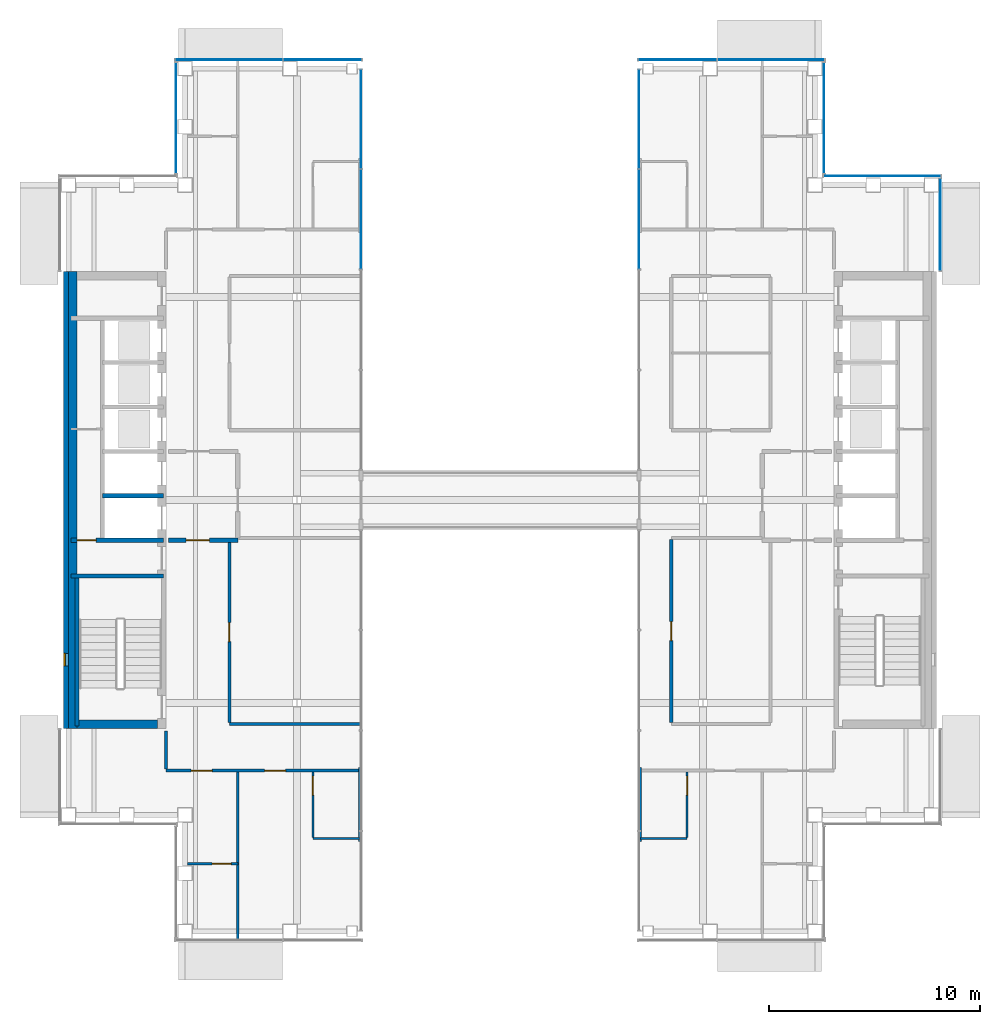
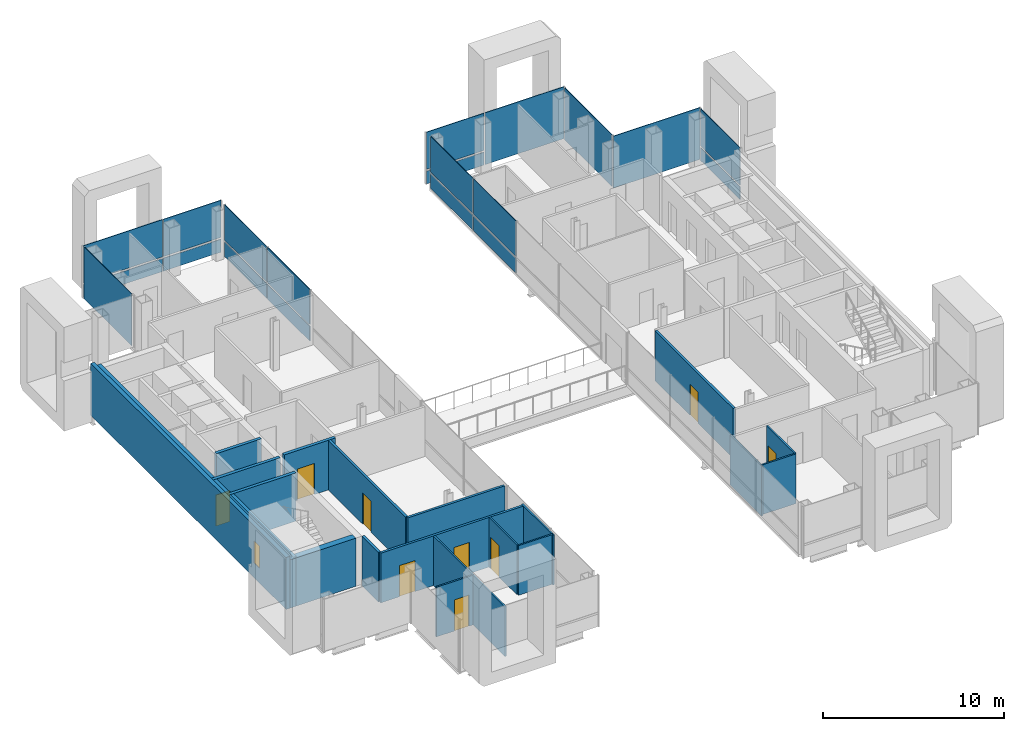
# One storey, part 10 of 17: 21 walls, 20 plates, 9 doors, 1 window, 10 openings, 8 elements without a shape of their own.
"""IFC4 building model written with IfcOpenShell, lengths in metres."""

from ifc_helpers import new_model, si_unit, direction, frame, frame_2d, origin, origin_2d, place, context, subcontext, project, spatial, rectangle, extrude, material, layer, layer_set, type_object, element, fill, aggregate, save


model = new_model("IFC4")

# Units and contexts
model_context = context("Model", 3, precision=1e-05, world=origin(), true_north=direction((0.0, 1.0)))
body_context = subcontext(model_context, "Body", "Model", "MODEL_VIEW")
ifc_project = project(units=[si_unit("LENGTHUNIT", "METRE"), si_unit("AREAUNIT", "SQUARE_METRE"), si_unit("VOLUMEUNIT", "CUBIC_METRE"), si_unit("PLANEANGLEUNIT", "RADIAN"), si_unit("MASSUNIT", "GRAM", prefix="KILO")], contexts=[model_context])

# Site, building, storey
site_placement = place(None, origin())
site = spatial("IfcSite", under=ifc_project, at=site_placement, CompositionType="ELEMENT")
building_placement = place(site_placement, origin())
building = spatial("IfcBuilding", under=site, at=building_placement, Name="Cobrizo Arcos Hotel Tower", CompositionType="ELEMENT")
storey_placement = place(building_placement, frame((0.0, 0.0, 226.0)))
storey = spatial("IfcBuildingStorey", under=building, at=storey_placement, Name="L59", CompositionType="ELEMENT", Elevation=226.0)

# Curtain wall, plate
ifc_material_1 = material(Name="Aluminium 6063-T6 anodised bronze", Category="aluminium")
curtain_wall_type_1 = type_object("IfcCurtainWallType", Name="CW-A guest facade", PredefinedType="NOTDEFINED", material=ifc_material_1)
curtain_wall_1_placement = place(storey_placement, origin())
curtain_wall_1 = element("IfcCurtainWall", 1, at=curtain_wall_1_placement, inside=storey, type_object=curtain_wall_type_1, Name="CW-A L59 E face", PredefinedType="NOTDEFINED")
ifc_material_2 = material(Name="Glass clear laminated low-e", Category="glass")
ifc_layer_1 = layer(ifc_material_2, 0.0400390625)
ifc_layer_set_1 = layer_set([ifc_layer_1], Name="CW-A glass panel")
plate_type_1 = type_object("IfcPlateType", Name="CW-A glass panel", PredefinedType="CURTAIN_PANEL", material=ifc_layer_set_1)
plate_1_placement = place(storey_placement, frame((20.824951171875, 13.02490234375, 0.990234375), z_axis=(0.0, 0.0, 1.0), x_axis=(0.0, 1.0, 0.0)))
plate_1 = element("IfcPlate", 2, at=plate_1_placement, type_object=plate_type_1, Name="CW-A glass panel 1935", PredefinedType="CURTAIN_PANEL", context=body_context, shape_type="SweptSolid", body=[
    extrude(rectangle(XDim=4.330078125, YDim=0.0400390625, at=origin_2d()), origin(), (0.0, 0.0, 1.0), 2.510009765625),
])

curtain_wall_2_placement = place(storey_placement, origin())
curtain_wall_2 = element("IfcCurtainWall", 3, at=curtain_wall_2_placement, inside=storey, type_object=curtain_wall_type_1, Name="CW-A L59 N face", PredefinedType="NOTDEFINED")
plate_2_placement = place(storey_placement, frame((8.3984375, 20.824951171875, 0.990234375), z_axis=(0.0, 0.0, 1.0), x_axis=(-1.0, 0.0, 0.0)))
plate_2 = element("IfcPlate", 4, at=plate_2_placement, type_object=plate_type_1, Name="CW-A glass panel 1939", PredefinedType="CURTAIN_PANEL", context=body_context, shape_type="SweptSolid", body=[
    extrude(rectangle(XDim=3.6767578125, YDim=0.0400390625, at=origin_2d()), origin(), (0.0, 0.0, 1.0), 2.510009765625),
])

# Curtain wall, plates
curtain_wall_3_placement = place(storey_placement, origin())
curtain_wall_3 = element("IfcCurtainWall", 5, at=curtain_wall_3_placement, inside=storey, type_object=curtain_wall_type_1, Name="CW-A L59 N face", PredefinedType="NOTDEFINED")
plate_3_placement = place(storey_placement, frame((-8.3984375, 20.824951171875, 0.990234375), z_axis=(0.0, 0.0, 1.0), x_axis=(-1.0, 0.0, 0.0)))
plate_3 = element("IfcPlate", 6, at=plate_3_placement, type_object=plate_type_1, Name="CW-A glass panel 1940", PredefinedType="CURTAIN_PANEL", context=body_context, shape_type="SweptSolid", body=[
    extrude(rectangle(XDim=3.6767578125, YDim=0.0400390625, at=origin_2d()), origin(), (0.0, 0.0, 1.0), 2.510009765625),
])
plate_4_placement = place(storey_placement, frame((-12.818359375, 20.824951171875, 0.990234375), z_axis=(0.0, 0.0, 1.0), x_axis=(-1.0, 0.0, 0.0)))
plate_4 = element("IfcPlate", 7, at=plate_4_placement, type_object=plate_type_1, Name="CW-A glass panel 1941", PredefinedType="CURTAIN_PANEL", context=body_context, shape_type="SweptSolid", body=[
    extrude(rectangle(XDim=5.043212890625, YDim=0.0400390625, at=origin_2d()), origin(), (0.0, 0.0, 1.0), 2.510009765625),
])

# Plate
ifc_material_3 = material(Name="Aluminium composite panel pale metal", Category="aluminium")
ifc_layer_2 = layer(ifc_material_3, 0.0400390625)
ifc_layer_set_2 = layer_set([ifc_layer_2], Name="CW-A spandrel panel")
plate_type_2 = type_object("IfcPlateType", Name="CW-A spandrel panel", PredefinedType="CURTAIN_PANEL", material=ifc_layer_set_2)
plate_5_placement = place(storey_placement, frame((20.824951171875, 13.02490234375, 0.0), z_axis=(0.0, 0.0, 1.0), x_axis=(0.0, 1.0, 0.0)))
plate_5 = element("IfcPlate", 8, at=plate_5_placement, type_object=plate_type_2, Name="CW-A spandrel panel 1935", PredefinedType="CURTAIN_PANEL", context=body_context, shape_type="SweptSolid", body=[
    extrude(rectangle(XDim=4.330078125, YDim=0.0400390625, at=origin_2d()), origin(), (0.0, 0.0, 1.0), 0.8701171875),
])

aggregate(curtain_wall_1, [plate_5, plate_1])

# Curtain wall, plate
curtain_wall_4_placement = place(storey_placement, origin())
curtain_wall_4 = element("IfcCurtainWall", 9, at=curtain_wall_4_placement, inside=storey, type_object=curtain_wall_type_1, Name="CW-A L59 N face", PredefinedType="NOTDEFINED")
plate_6_placement = place(storey_placement, frame((18.074951171875, 15.324951171875, 0.0), z_axis=(0.0, 0.0, 1.0), x_axis=(-1.0, 0.0, 0.0)))
plate_6 = element("IfcPlate", 10, at=plate_6_placement, type_object=plate_type_2, Name="CW-A spandrel panel 1936", PredefinedType="CURTAIN_PANEL", context=body_context, shape_type="SweptSolid", body=[
    extrude(rectangle(XDim=5.530029296875, YDim=0.0400390625, at=origin_2d()), origin(), (0.0, 0.0, 1.0), 3.5),
])
aggregate(curtain_wall_4, [plate_6])

curtain_wall_5_placement = place(storey_placement, origin())
curtain_wall_5 = element("IfcCurtainWall", 11, at=curtain_wall_5_placement, inside=storey, type_object=curtain_wall_type_1, Name="CW-A L59 E face", PredefinedType="NOTDEFINED")
plate_7_placement = place(storey_placement, frame((15.324951171875, 18.074951171875, 0.0), z_axis=(0.0, 0.0, 1.0), x_axis=(0.0, 1.0, 0.0)))
plate_7 = element("IfcPlate", 12, at=plate_7_placement, type_object=plate_type_2, Name="CW-A spandrel panel 1937", PredefinedType="CURTAIN_PANEL", context=body_context, shape_type="SweptSolid", body=[
    extrude(rectangle(XDim=5.22998046875, YDim=0.0400390625, at=origin_2d()), origin(), (0.0, 0.0, 1.0), 3.5),
])
aggregate(curtain_wall_5, [plate_7])

# Plate
plate_8_placement = place(storey_placement, frame((12.818359375, 20.824951171875, 0.0), z_axis=(0.0, 0.0, 1.0), x_axis=(-1.0, 0.0, 0.0)))
plate_8 = element("IfcPlate", 13, at=plate_8_placement, type_object=plate_type_2, Name="CW-A spandrel panel 1938", PredefinedType="CURTAIN_PANEL", context=body_context, shape_type="SweptSolid", body=[
    extrude(rectangle(XDim=5.043212890625, YDim=0.0400390625, at=origin_2d()), origin(), (0.0, 0.0, 1.0), 3.5),
])

plate_9_placement = place(storey_placement, frame((8.3984375, 20.824951171875, 0.0), z_axis=(0.0, 0.0, 1.0), x_axis=(-1.0, 0.0, 0.0)))
plate_9 = element("IfcPlate", 14, at=plate_9_placement, type_object=plate_type_2, Name="CW-A spandrel panel 1939", PredefinedType="CURTAIN_PANEL", context=body_context, shape_type="SweptSolid", body=[
    extrude(rectangle(XDim=3.6767578125, YDim=0.0400390625, at=origin_2d()), origin(), (0.0, 0.0, 1.0), 0.8701171875),
])

aggregate(curtain_wall_2, [plate_8, plate_9, plate_2])

plate_10_placement = place(storey_placement, frame((-8.3984375, 20.824951171875, 0.0), z_axis=(0.0, 0.0, 1.0), x_axis=(-1.0, 0.0, 0.0)))
plate_10 = element("IfcPlate", 15, at=plate_10_placement, type_object=plate_type_2, Name="CW-A spandrel panel 1940", PredefinedType="CURTAIN_PANEL", context=body_context, shape_type="SweptSolid", body=[
    extrude(rectangle(XDim=3.6767578125, YDim=0.0400390625, at=origin_2d()), origin(), (0.0, 0.0, 1.0), 0.8701171875),
])

plate_11_placement = place(storey_placement, frame((-12.818359375, 20.824951171875, 0.0), z_axis=(0.0, 0.0, 1.0), x_axis=(-1.0, 0.0, 0.0)))
plate_11 = element("IfcPlate", 16, at=plate_11_placement, type_object=plate_type_2, Name="CW-A spandrel panel 1941", PredefinedType="CURTAIN_PANEL", context=body_context, shape_type="SweptSolid", body=[
    extrude(rectangle(XDim=5.043212890625, YDim=0.0400390625, at=origin_2d()), origin(), (0.0, 0.0, 1.0), 0.8701171875),
])

aggregate(curtain_wall_3, [plate_10, plate_3, plate_11, plate_4])

# Curtain wall, plate
curtain_wall_6_placement = place(storey_placement, origin())
curtain_wall_6 = element("IfcCurtainWall", 17, at=curtain_wall_6_placement, inside=storey, type_object=curtain_wall_type_1, Name="CW-A L59 W face", PredefinedType="NOTDEFINED")
plate_12_placement = place(storey_placement, frame((-15.324951171875, 18.074951171875, 0.0), z_axis=(0.0, 0.0, 1.0), x_axis=(0.0, -1.0, 0.0)))
plate_12 = element("IfcPlate", 18, at=plate_12_placement, type_object=plate_type_2, Name="CW-A spandrel panel 1942", PredefinedType="CURTAIN_PANEL", context=body_context, shape_type="SweptSolid", body=[
    extrude(rectangle(XDim=5.22998046875, YDim=0.0400390625, at=origin_2d()), origin(), (0.0, 0.0, 1.0), 3.5),
])
aggregate(curtain_wall_6, [plate_12])

# Curtain wall, plates
curtain_wall_type_2 = type_object("IfcCurtainWallType", Name="CW-F void screen", PredefinedType="NOTDEFINED", material=ifc_material_1)
curtain_wall_7_placement = place(storey_placement, origin())
curtain_wall_7 = element("IfcCurtainWall", 19, at=curtain_wall_7_placement, inside=storey, type_object=curtain_wall_type_2, Name="CW-F L59 void screen C", PredefinedType="NOTDEFINED")
ifc_layer_3 = layer(ifc_material_2, 0.0400390625)
ifc_layer_set_3 = layer_set([ifc_layer_3], Name="CW-F glass panel")
plate_type_3 = type_object("IfcPlateType", Name="CW-F glass panel", PredefinedType="CURTAIN_PANEL", material=ifc_layer_set_3)
plate_13_placement = place(storey_placement, frame((6.574951171875, 13.27490234375, 0.0), z_axis=(0.0, 0.0, 1.0), x_axis=(0.0, 1.0, 0.0)))
plate_13 = element("IfcPlate", 20, at=plate_13_placement, type_object=plate_type_3, Name="CW-F glass panel 2722", PredefinedType="CURTAIN_PANEL", context=body_context, shape_type="SweptSolid", body=[
    extrude(rectangle(XDim=4.68994140625, YDim=0.0400390625, at=origin_2d()), origin(), (0.0, 0.0, 1.0), 0.989990234375),
])
plate_14_placement = place(storey_placement, frame((6.574951171875, 13.27490234375, 1.10986328125), z_axis=(0.0, 0.0, 1.0), x_axis=(0.0, 1.0, 0.0)))
plate_14 = element("IfcPlate", 21, at=plate_14_placement, type_object=plate_type_3, Name="CW-F glass panel 2722", PredefinedType="CURTAIN_PANEL", context=body_context, shape_type="SweptSolid", body=[
    extrude(rectangle(XDim=4.68994140625, YDim=0.0400390625, at=origin_2d()), origin(), (0.0, 0.0, 1.0), 2.389892578125),
])
plate_15_placement = place(storey_placement, frame((6.574951171875, 18.010009765625, 0.0), z_axis=(0.0, 0.0, 1.0), x_axis=(0.0, 1.0, 0.0)))
plate_15 = element("IfcPlate", 22, at=plate_15_placement, type_object=plate_type_3, Name="CW-F glass panel 2723", PredefinedType="CURTAIN_PANEL", context=body_context, shape_type="SweptSolid", body=[
    extrude(rectangle(XDim=4.659912109375, YDim=0.0400390625, at=origin_2d()), origin(), (0.0, 0.0, 1.0), 0.989990234375),
])
plate_16_placement = place(storey_placement, frame((6.574951171875, 18.010009765625, 1.10986328125), z_axis=(0.0, 0.0, 1.0), x_axis=(0.0, 1.0, 0.0)))
plate_16 = element("IfcPlate", 23, at=plate_16_placement, type_object=plate_type_3, Name="CW-F glass panel 2723", PredefinedType="CURTAIN_PANEL", context=body_context, shape_type="SweptSolid", body=[
    extrude(rectangle(XDim=4.659912109375, YDim=0.0400390625, at=origin_2d()), origin(), (0.0, 0.0, 1.0), 2.389892578125),
])
aggregate(curtain_wall_7, [plate_13, plate_14, plate_15, plate_16])

curtain_wall_8_placement = place(storey_placement, origin())
curtain_wall_8 = element("IfcCurtainWall", 24, at=curtain_wall_8_placement, inside=storey, type_object=curtain_wall_type_2, Name="CW-F L59 void screen C", PredefinedType="NOTDEFINED")
plate_17_placement = place(storey_placement, frame((-6.574951171875, 18.010009765625, 0.0), z_axis=(0.0, 0.0, 1.0), x_axis=(0.0, -1.0, 0.0)))
plate_17 = element("IfcPlate", 25, at=plate_17_placement, type_object=plate_type_3, Name="CW-F glass panel 2724", PredefinedType="CURTAIN_PANEL", context=body_context, shape_type="SweptSolid", body=[
    extrude(rectangle(XDim=4.659912109375, YDim=0.0400390625, at=origin_2d()), origin(), (0.0, 0.0, 1.0), 0.989990234375),
])
plate_18_placement = place(storey_placement, frame((-6.574951171875, 18.010009765625, 1.10986328125), z_axis=(0.0, 0.0, 1.0), x_axis=(0.0, -1.0, 0.0)))
plate_18 = element("IfcPlate", 26, at=plate_18_placement, type_object=plate_type_3, Name="CW-F glass panel 2724", PredefinedType="CURTAIN_PANEL", context=body_context, shape_type="SweptSolid", body=[
    extrude(rectangle(XDim=4.659912109375, YDim=0.0400390625, at=origin_2d()), origin(), (0.0, 0.0, 1.0), 2.389892578125),
])
plate_19_placement = place(storey_placement, frame((-6.574951171875, 13.27490234375, 0.0), z_axis=(0.0, 0.0, 1.0), x_axis=(0.0, -1.0, 0.0)))
plate_19 = element("IfcPlate", 27, at=plate_19_placement, type_object=plate_type_3, Name="CW-F glass panel 2725", PredefinedType="CURTAIN_PANEL", context=body_context, shape_type="SweptSolid", body=[
    extrude(rectangle(XDim=4.68994140625, YDim=0.0400390625, at=origin_2d()), origin(), (0.0, 0.0, 1.0), 0.989990234375),
])
plate_20_placement = place(storey_placement, frame((-6.574951171875, 13.27490234375, 1.10986328125), z_axis=(0.0, 0.0, 1.0), x_axis=(0.0, -1.0, 0.0)))
plate_20 = element("IfcPlate", 28, at=plate_20_placement, type_object=plate_type_3, Name="CW-F glass panel 2725", PredefinedType="CURTAIN_PANEL", context=body_context, shape_type="SweptSolid", body=[
    extrude(rectangle(XDim=4.68994140625, YDim=0.0400390625, at=origin_2d()), origin(), (0.0, 0.0, 1.0), 2.389892578125),
])
aggregate(curtain_wall_8, [plate_17, plate_18, plate_19, plate_20])

# Wall, openings, doors
ifc_material_4 = material(Name="Gypsum board partition")
ifc_layer_4 = layer(ifc_material_4, 0.14990234375)
ifc_layer_set_4 = layer_set([ifc_layer_4], Name="Corridor wall EI 60 150")
wall_type_1 = type_object("IfcWallType", Name="Corridor wall EI 60 150", PredefinedType="PARTITIONING", material=ifc_layer_set_4)
wall_1_placement = place(storey_placement, frame((-15.800048828125, -12.800048828125, 0.0), z_axis=(0.0, 0.0, 1.0), x_axis=(1.0, 0.0, 0.0)))
wall_1 = element("IfcWall", 29, at=wall_1_placement, inside=storey, type_object=wall_type_1, Name="Partition 005", PredefinedType="PARTITIONING", context=body_context, shape_type="SweptSolid", body=[
    extrude(rectangle(XDim=9.150146484375, YDim=0.14990234375, at=frame_2d((4.5751953125, 0.0))), origin(), (0.0, 0.0, 1.0), 3.35009765625),
])
opening_1_placement = place(wall_1_placement, frame((4.6669921875, 0.0, 0.0)))
opening_1 = element("IfcOpeningElement", 30, at=opening_1_placement, cuts=wall_1, Name="Opening GD-04", PredefinedType="OPENING", context=body_context, shape_type="SweptSolid", body=[
    extrude(rectangle(XDim=1.0, YDim=2.10009765625, at=frame_2d((0.5, 1.050048828125))), frame((0.0, 0.0869140625, 0.0), z_axis=(0.0, -1.0, 0.0), x_axis=(1.0, 0.0, 0.0)), (0.0, 0.0, 1.0), 0.173828125),
])
opening_2_placement = place(wall_1_placement, frame((1.19189453125, 0.0, 0.0)))
opening_2 = element("IfcOpeningElement", 31, at=opening_2_placement, cuts=wall_1, Name="Opening GD-05", PredefinedType="OPENING", context=body_context, shape_type="SweptSolid", body=[
    extrude(rectangle(XDim=1.0, YDim=2.10009765625, at=frame_2d((0.5, 1.050048828125))), frame((0.0, 0.0869140625, 0.0), z_axis=(0.0, -1.0, 0.0), x_axis=(1.0, 0.0, 0.0)), (0.0, 0.0, 1.0), 0.173828125),
])
ifc_material_5 = material(Name="Timber door leaf", Category="wood")
door_type_1 = type_object("IfcDoorType", Name="Guest room door FD30S 1000x2100", OperationType="SINGLE_SWING_LEFT", PredefinedType="DOOR", material=ifc_material_5)
door_1_placement = place(opening_1_placement, origin())
door_1 = element("IfcDoor", 32, at=door_1_placement, inside=storey, type_object=door_type_1, Name="Door GD-04", OperationType="SINGLE_SWING_RIGHT", OverallHeight=2.10009765625, OverallWidth=1.0, PredefinedType="DOOR", context=body_context, shape_type="SweptSolid", body=[
    extrude(rectangle(XDim=1.0, YDim=2.10009765625, at=frame_2d((0.5, 1.050048828125))), frame((0.0, 0.02490234375, 0.0), z_axis=(0.0, -1.0, 0.0), x_axis=(1.0, 0.0, 0.0)), (0.0, 0.0, 1.0), 0.050048828125),
])
fill(opening_1, door_1)
door_2_placement = place(opening_2_placement, origin())
door_2 = element("IfcDoor", 33, at=door_2_placement, inside=storey, type_object=door_type_1, Name="Door GD-05", OperationType="SINGLE_SWING_RIGHT", OverallHeight=2.10009765625, OverallWidth=1.0, PredefinedType="DOOR", context=body_context, shape_type="SweptSolid", body=[
    extrude(rectangle(XDim=1.0, YDim=2.10009765625, at=frame_2d((0.5, 1.050048828125))), frame((0.0, 0.02490234375, 0.0), z_axis=(0.0, -1.0, 0.0), x_axis=(1.0, 0.0, 0.0)), (0.0, 0.0, 1.0), 0.050048828125),
])
fill(opening_2, door_2)

# Walls
wall_2_placement = place(storey_placement, frame((-12.800048828125, -10.60009765625, 0.0), z_axis=(0.0, 0.0, 1.0), x_axis=(1.0, 0.0, 0.0)))
element("IfcWall", 34, at=wall_2_placement, inside=storey, type_object=wall_type_1, Name="Partition 007", PredefinedType="PARTITIONING", context=body_context, shape_type="SweptSolid", body=[
    extrude(rectangle(XDim=6.179931640625, YDim=0.14990234375, at=frame_2d((3.08984375, 0.0))), origin(), (0.0, 0.0, 1.0), 3.35009765625),
])
wall_3_placement = place(storey_placement, frame((-15.800048828125, -12.72509765625, 0.0), z_axis=(0.0, 0.0, 1.0), x_axis=(0.0, 1.0, 0.0)))
element("IfcWall", 35, at=wall_3_placement, inside=storey, type_object=wall_type_1, Name="Partition 044", PredefinedType="PARTITIONING", context=body_context, shape_type="SweptSolid", body=[
    extrude(rectangle(XDim=1.80517578125, YDim=0.14990234375, at=frame_2d((0.902587890625, 0.0))), origin(), (0.0, 0.0, 1.0), 3.35009765625),
])

# Wall, opening, door
wall_4_placement = place(storey_placement, frame((-12.800048828125, -10.52490234375, 0.0), z_axis=(0.0, 0.0, 1.0), x_axis=(0.0, 1.0, 0.0)))
wall_4 = element("IfcWall", 36, at=wall_4_placement, inside=storey, type_object=wall_type_1, Name="Partition 046", PredefinedType="PARTITIONING", context=body_context, shape_type="SweptSolid", body=[
    extrude(rectangle(XDim=8.52490234375, YDim=0.14990234375, at=frame_2d((4.262451171875, 0.0))), origin(), (0.0, 0.0, 1.0), 3.35009765625),
])
opening_3_placement = place(wall_4_placement, frame((3.824951171875, 0.0, 0.0)))
opening_3 = element("IfcOpeningElement", 37, at=opening_3_placement, cuts=wall_4, Name="Opening RD-09", PredefinedType="OPENING", context=body_context, shape_type="SweptSolid", body=[
    extrude(rectangle(XDim=0.89990234375, YDim=2.10009765625, at=frame_2d((0.449951171875, 1.050048828125))), frame((0.0, 0.0869140625, 0.0), z_axis=(0.0, -1.0, 0.0), x_axis=(1.0, 0.0, 0.0)), (0.0, 0.0, 1.0), 0.173828125),
])
door_type_2 = type_object("IfcDoorType", Name="Room door FD30 900x2100", OperationType="SINGLE_SWING_LEFT", PredefinedType="DOOR", material=ifc_material_5)
door_3_placement = place(opening_3_placement, origin())
door_3 = element("IfcDoor", 38, at=door_3_placement, inside=storey, type_object=door_type_2, Name="Door RD-09", OperationType="SINGLE_SWING_RIGHT", OverallHeight=2.10009765625, OverallWidth=0.89990234375, PredefinedType="DOOR", context=body_context, shape_type="SweptSolid", body=[
    extrude(rectangle(XDim=0.89990234375, YDim=2.10009765625, at=frame_2d((0.449951171875, 1.050048828125))), frame((0.0, 0.02490234375, 0.0), z_axis=(0.0, -1.0, 0.0), x_axis=(1.0, 0.0, 0.0)), (0.0, 0.0, 1.0), 0.050048828125),
])
fill(opening_3, door_3)

wall_5_placement = place(storey_placement, frame((8.10009765625, -10.52490234375, 0.0), z_axis=(0.0, 0.0, 1.0), x_axis=(0.0, 1.0, 0.0)))
wall_5 = element("IfcWall", 39, at=wall_5_placement, inside=storey, type_object=wall_type_1, Name="Partition 057", PredefinedType="PARTITIONING", context=body_context, shape_type="SweptSolid", body=[
    extrude(rectangle(XDim=8.64990234375, YDim=0.14990234375, at=frame_2d((4.324951171875, 0.0))), origin(), (0.0, 0.0, 1.0), 3.35009765625),
])
opening_4_placement = place(wall_5_placement, frame((3.875, 0.0, 0.0)))
opening_4 = element("IfcOpeningElement", 40, at=opening_4_placement, cuts=wall_5, Name="Opening RD-07", PredefinedType="OPENING", context=body_context, shape_type="SweptSolid", body=[
    extrude(rectangle(XDim=0.89990234375, YDim=2.10009765625, at=frame_2d((0.449951171875, 1.050048828125))), frame((0.0, 0.0869140625, 0.0), z_axis=(0.0, -1.0, 0.0), x_axis=(1.0, 0.0, 0.0)), (0.0, 0.0, 1.0), 0.173828125),
])
door_4_placement = place(opening_4_placement, origin())
door_4 = element("IfcDoor", 41, at=door_4_placement, inside=storey, type_object=door_type_2, Name="Door RD-07", OperationType="SINGLE_SWING_LEFT", OverallHeight=2.10009765625, OverallWidth=0.89990234375, PredefinedType="DOOR", context=body_context, shape_type="SweptSolid", body=[
    extrude(rectangle(XDim=0.89990234375, YDim=2.10009765625, at=frame_2d((0.449951171875, 1.050048828125))), frame((0.0, 0.02490234375, 0.0), z_axis=(0.0, -1.0, 0.0), x_axis=(1.0, 0.0, 0.0)), (0.0, 0.0, 1.0), 0.050048828125),
])
fill(opening_4, door_4)

# Wall, opening, window
ifc_layer_5 = layer(ifc_material_3, 0.25)
ifc_layer_set_5 = layer_set([ifc_layer_5], Name="EW-1 insulated panel wall 250")
wall_type_2 = type_object("IfcWallType", Name="EW-1 insulated panel wall 250", PredefinedType="SOLIDWALL", material=ifc_layer_set_5)
wall_6_placement = place(storey_placement, frame((-20.52490234375, 10.800048828125, 0.0), z_axis=(0.0, 0.0, 1.0), x_axis=(0.0, -1.0, 0.0)))
wall_6 = element("IfcWall", 42, at=wall_6_placement, inside=storey, type_object=wall_type_2, Name="Core face wall L59 W", PredefinedType="SOLIDWALL", context=body_context, shape_type="SweptSolid", body=[
    extrude(rectangle(XDim=21.60009765625, YDim=0.25, at=frame_2d((10.800048828125, 0.0))), origin(), (0.0, 0.0, 1.0), 3.5),
])
opening_5_placement = place(wall_6_placement, frame((18.050048828125, 0.0, 1.0)))
opening_5 = element("IfcOpeningElement", 43, at=opening_5_placement, cuts=wall_6, Name="Opening W-132", PredefinedType="OPENING", context=body_context, shape_type="SweptSolid", body=[
    extrude(rectangle(XDim=0.60009765625, YDim=1.5, at=frame_2d((0.300048828125, 0.75))), frame((0.0, 0.136962890625, 0.0), z_axis=(0.0, -1.0, 0.0), x_axis=(1.0, 0.0, 0.0)), (0.0, 0.0, 1.0), 0.27392578125),
])
ifc_material_6 = material(Name="Aluminium 6063-T6 and clear laminated glass", Category="aluminium")
window_type = type_object("IfcWindowType", Name="W-C1 core stair slot window 600x1500", PartitioningType="SINGLE_PANEL", PredefinedType="WINDOW", material=ifc_material_6)
window_placement = place(opening_5_placement, origin())
window = element("IfcWindow", 44, at=window_placement, inside=storey, type_object=window_type, Name="Core face wall L59 W window W-132", OverallHeight=1.5, OverallWidth=0.60009765625, PartitioningType="SINGLE_PANEL", PredefinedType="WINDOW", context=body_context, shape_type="SweptSolid", body=[
    extrude(rectangle(XDim=0.60009765625, YDim=1.5, at=frame_2d((0.300048828125, 0.75))), frame((0.0, -0.034912109375, 0.0), z_axis=(0.0, -1.0, 0.0), x_axis=(1.0, 0.0, 0.0)), (0.0, 0.0, 1.0), 0.06005859375),
])
fill(opening_5, window)

# Wall, opening, door
ifc_layer_6 = layer(ifc_material_4, 0.10009765625)
ifc_layer_set_6 = layer_set([ifc_layer_6], Name="Partition EI 30 100")
wall_type_3 = type_object("IfcWallType", Name="Partition EI 30 100", PredefinedType="PARTITIONING", material=ifc_layer_set_6)
wall_7_placement = place(storey_placement, frame((-14.780029296875, -17.199951171875, 0.0), z_axis=(0.0, 0.0, 1.0), x_axis=(1.0, 0.0, 0.0)))
wall_7 = element("IfcWall", 45, at=wall_7_placement, inside=storey, type_object=wall_type_3, Name="Partition 001", PredefinedType="PARTITIONING", context=body_context, shape_type="SweptSolid", body=[
    extrude(rectangle(XDim=2.380126953125, YDim=0.10009765625, at=frame_2d((1.18994140625, 0.0))), origin(), (0.0, 0.0, 1.0), 3.35009765625),
])
opening_6_placement = place(wall_7_placement, frame((1.16796875, 0.0, 0.0)))
opening_6 = element("IfcOpeningElement", 46, at=opening_6_placement, cuts=wall_7, Name="Opening ED-05", PredefinedType="OPENING", context=body_context, shape_type="SweptSolid", body=[
    extrude(rectangle(XDim=0.89990234375, YDim=2.10009765625, at=frame_2d((0.449951171875, 1.050048828125))), frame((0.0, 0.06201171875, 0.0), z_axis=(0.0, -1.0, 0.0), x_axis=(1.0, 0.0, 0.0)), (0.0, 0.0, 1.0), 0.1240234375),
])
door_type_3 = type_object("IfcDoorType", Name="En-suite door 900x2100", OperationType="SINGLE_SWING_LEFT", PredefinedType="DOOR", material=ifc_material_5)
door_5_placement = place(opening_6_placement, origin())
door_5 = element("IfcDoor", 47, at=door_5_placement, inside=storey, type_object=door_type_3, Name="Door ED-05", OperationType="SINGLE_SWING_LEFT", OverallHeight=2.10009765625, OverallWidth=0.89990234375, PredefinedType="DOOR", context=body_context, shape_type="SweptSolid", body=[
    extrude(rectangle(XDim=0.89990234375, YDim=2.10009765625, at=frame_2d((0.449951171875, 1.050048828125))), frame((0.0, 0.02490234375, 0.0), z_axis=(0.0, -1.0, 0.0), x_axis=(1.0, 0.0, 0.0)), (0.0, 0.0, 1.0), 0.050048828125),
])
fill(opening_6, door_5)

# Walls
for number, where, z_axis, x_axis, name in (
    (48, (-8.85009765625, -16.0, 0.0), (0.0, 0.0, 1.0), (1.0, 0.0, 0.0), "Partition 003"),
    (49, (6.64990234375, -16.0, 0.0), (0.0, 0.0, 1.0), (1.0, 0.0, 0.0), "Partition 004"),
):
    element("IfcWall", number, at=place(storey_placement, frame(where, z_axis=z_axis, x_axis=x_axis)), inside=storey, type_object=wall_type_3, Name=name, PredefinedType="PARTITIONING", context=body_context, shape_type="SweptSolid", body=[
        extrude(rectangle(XDim=2.2001953125, YDim=0.10009765625, at=frame_2d((1.10009765625, 0.0))), origin(), (0.0, 0.0, 1.0), 3.35009765625),
    ])
wall_8_placement = place(storey_placement, frame((-12.39990234375, -20.780029296875, 0.0), z_axis=(0.0, 0.0, 1.0), x_axis=(0.0, 1.0, 0.0)))
element("IfcWall", 50, at=wall_8_placement, inside=storey, type_object=wall_type_3, Name="Partition 048", PredefinedType="PARTITIONING", context=body_context, shape_type="SweptSolid", body=[
    extrude(rectangle(XDim=7.905029296875, YDim=0.10009765625, at=frame_2d((3.95263671875, 0.0))), origin(), (0.0, 0.0, 1.0), 3.35009765625),
])

# Wall, opening, door
wall_9_placement = place(storey_placement, frame((-8.85009765625, -15.949951171875, 0.0), z_axis=(0.0, 0.0, 1.0), x_axis=(0.0, 1.0, 0.0)))
wall_9 = element("IfcWall", 51, at=wall_9_placement, inside=storey, type_object=wall_type_3, Name="Partition 051", PredefinedType="PARTITIONING", context=body_context, shape_type="SweptSolid", body=[
    extrude(rectangle(XDim=3.074951171875, YDim=0.10009765625, at=frame_2d((1.53759765625, 0.0))), origin(), (0.0, 0.0, 1.0), 3.35009765625),
])
opening_7_placement = place(wall_9_placement, frame((1.99609375, 0.0, 0.0)))
opening_7 = element("IfcOpeningElement", 52, at=opening_7_placement, cuts=wall_9, Name="Opening ED-04", PredefinedType="OPENING", context=body_context, shape_type="SweptSolid", body=[
    extrude(rectangle(XDim=0.89990234375, YDim=2.10009765625, at=frame_2d((0.449951171875, 1.050048828125))), frame((0.0, 0.06201171875, 0.0), z_axis=(0.0, -1.0, 0.0), x_axis=(1.0, 0.0, 0.0)), (0.0, 0.0, 1.0), 0.1240234375),
])
door_6_placement = place(opening_7_placement, origin())
door_6 = element("IfcDoor", 53, at=door_6_placement, inside=storey, type_object=door_type_3, Name="Door ED-04", OperationType="SINGLE_SWING_RIGHT", OverallHeight=2.10009765625, OverallWidth=0.89990234375, PredefinedType="DOOR", context=body_context, shape_type="SweptSolid", body=[
    extrude(rectangle(XDim=0.89990234375, YDim=2.10009765625, at=frame_2d((0.449951171875, 1.050048828125))), frame((0.0, 0.02490234375, 0.0), z_axis=(0.0, -1.0, 0.0), x_axis=(1.0, 0.0, 0.0)), (0.0, 0.0, 1.0), 0.050048828125),
])
fill(opening_7, door_6)

# Walls
for number, where, z_axis, x_axis, name in (
    (54, (-6.64990234375, -16.139892578125, 0.0), (0.0, 0.0, 1.0), (0.0, 1.0, 0.0), "Partition 053"),
    (55, (6.64990234375, -16.139892578125, 0.0), (0.0, 0.0, 1.0), (0.0, 1.0, 0.0), "Partition 055"),
):
    element("IfcWall", number, at=place(storey_placement, frame(where, z_axis=z_axis, x_axis=x_axis)), inside=storey, type_object=wall_type_3, Name=name, PredefinedType="PARTITIONING", context=body_context, shape_type="SweptSolid", body=[
        extrude(rectangle(XDim=3.47998046875, YDim=0.10009765625, at=frame_2d((1.739990234375, 0.0))), origin(), (0.0, 0.0, 1.0), 3.35009765625),
    ])

# Wall, opening, door
wall_10_placement = place(storey_placement, frame((8.85009765625, -15.949951171875, 0.0), z_axis=(0.0, 0.0, 1.0), x_axis=(0.0, 1.0, 0.0)))
wall_10 = element("IfcWall", 56, at=wall_10_placement, inside=storey, type_object=wall_type_3, Name="Partition 059", PredefinedType="PARTITIONING", context=body_context, shape_type="SweptSolid", body=[
    extrude(rectangle(XDim=3.074951171875, YDim=0.10009765625, at=frame_2d((1.53759765625, 0.0))), origin(), (0.0, 0.0, 1.0), 3.35009765625),
])
opening_8_placement = place(wall_10_placement, frame((1.99609375, 0.0, 0.0)))
opening_8 = element("IfcOpeningElement", 57, at=opening_8_placement, cuts=wall_10, Name="Opening ED-03", PredefinedType="OPENING", context=body_context, shape_type="SweptSolid", body=[
    extrude(rectangle(XDim=0.89990234375, YDim=2.10009765625, at=frame_2d((0.449951171875, 1.050048828125))), frame((0.0, 0.06201171875, 0.0), z_axis=(0.0, -1.0, 0.0), x_axis=(1.0, 0.0, 0.0)), (0.0, 0.0, 1.0), 0.1240234375),
])
door_7_placement = place(opening_8_placement, origin())
door_7 = element("IfcDoor", 58, at=door_7_placement, inside=storey, type_object=door_type_3, Name="Door ED-03", OperationType="SINGLE_SWING_RIGHT", OverallHeight=2.10009765625, OverallWidth=0.89990234375, PredefinedType="DOOR", context=body_context, shape_type="SweptSolid", body=[
    extrude(rectangle(XDim=0.89990234375, YDim=2.10009765625, at=frame_2d((0.449951171875, 1.050048828125))), frame((0.0, 0.02490234375, 0.0), z_axis=(0.0, -1.0, 0.0), x_axis=(1.0, 0.0, 0.0)), (0.0, 0.0, 1.0), 0.050048828125),
])
fill(opening_8, door_7)

# Walls
ifc_material_7 = material(Name="Concrete f'c 40 MPa", Category="concrete")
ifc_layer_7 = layer(ifc_material_7, 0.39990234375)
ifc_layer_set_7 = layer_set([ifc_layer_7], Name="RC core wall 400 f'c 40")
wall_type_4 = type_object("IfcWallType", Name="RC core wall 400 f'c 40", PredefinedType="SHEAR", material=ifc_layer_set_7)
wall_11_placement = place(storey_placement, frame((-20.199951171875, -10.800048828125, 0.0), z_axis=(0.0, 0.0, 1.0), x_axis=(0.0, 1.0, 0.0)))
element("IfcWall", 59, at=wall_11_placement, inside=storey, type_object=wall_type_4, Name="Core wall CW4, west core, outer face, L59", PredefinedType="SHEAR", context=body_context, shape_type="SweptSolid", body=[
    extrude(rectangle(XDim=21.60009765625, YDim=0.39990234375, at=frame_2d((10.800048828125, 0.0))), origin(), (0.0, 0.0, 1.0), 3.25),
])
wall_12_placement = place(storey_placement, frame((-20.0, -10.60009765625, 0.0), z_axis=(0.0, 0.0, 1.0), x_axis=(1.0, 0.0, 0.0)))
element("IfcWall", 60, at=wall_12_placement, inside=storey, type_object=wall_type_4, Name="Core wall CW4, west core, south end, L59", PredefinedType="SHEAR", context=body_context, shape_type="SweptSolid", body=[
    extrude(rectangle(XDim=3.800048828125, YDim=0.39990234375, at=frame_2d((1.89990234375, 0.0))), origin(), (0.0, 0.0, 1.0), 3.25),
])

# Wall, opening, door
ifc_layer_8 = layer(ifc_material_4, 0.199951171875)
ifc_layer_set_8 = layer_set([ifc_layer_8], Name="Shaft wall EI 120 200")
wall_type_5 = type_object("IfcWallType", Name="Shaft wall EI 120 200", PredefinedType="PARTITIONING", material=ifc_layer_set_8)
wall_13_placement = place(storey_placement, frame((-20.280029296875, -1.89990234375, 0.0), z_axis=(0.0, 0.0, 1.0), x_axis=(1.0, 0.0, 0.0)))
wall_13 = element("IfcWall", 61, at=wall_13_placement, inside=storey, type_object=wall_type_5, Name="Partition 011", PredefinedType="PARTITIONING", context=body_context, shape_type="SweptSolid", body=[
    extrude(rectangle(XDim=4.360107421875, YDim=0.199951171875, at=frame_2d((2.18017578125, 0.0))), origin(), (0.0, 0.0, 1.0), 3.25),
])
opening_9_placement = place(wall_13_placement, frame((0.280029296875, 0.0, 0.0)))
opening_9 = element("IfcOpeningElement", 62, at=opening_9_placement, cuts=wall_13, Name="Opening RD-02", PredefinedType="OPENING", context=body_context, shape_type="SweptSolid", body=[
    extrude(rectangle(XDim=0.89990234375, YDim=2.10009765625, at=frame_2d((0.449951171875, 1.050048828125))), frame((0.0, 0.112060546875, 0.0), z_axis=(0.0, -1.0, 0.0), x_axis=(1.0, 0.0, 0.0)), (0.0, 0.0, 1.0), 0.223876953125),
])
door_8_placement = place(opening_9_placement, origin())
door_8 = element("IfcDoor", 63, at=door_8_placement, inside=storey, type_object=door_type_2, Name="Door RD-02", OperationType="SINGLE_SWING_RIGHT", OverallHeight=2.10009765625, OverallWidth=0.89990234375, PredefinedType="DOOR", context=body_context, shape_type="SweptSolid", body=[
    extrude(rectangle(XDim=0.89990234375, YDim=2.10009765625, at=frame_2d((0.449951171875, 1.050048828125))), frame((0.0, 0.02490234375, 0.0), z_axis=(0.0, -1.0, 0.0), x_axis=(1.0, 0.0, 0.0)), (0.0, 0.0, 1.0), 0.050048828125),
])
fill(opening_9, door_8)

wall_14_placement = place(storey_placement, frame((-15.679931640625, -1.89990234375, 0.0), z_axis=(0.0, 0.0, 1.0), x_axis=(1.0, 0.0, 0.0)))
wall_14 = element("IfcWall", 64, at=wall_14_placement, inside=storey, type_object=wall_type_5, Name="Partition 012", PredefinedType="PARTITIONING", context=body_context, shape_type="SweptSolid", body=[
    extrude(rectangle(XDim=3.280029296875, YDim=0.199951171875, at=frame_2d((1.64013671875, 0.0))), origin(), (0.0, 0.0, 1.0), 3.35009765625),
])
opening_10_placement = place(wall_14_placement, frame((0.840087890625, 0.0, 0.0)))
opening_10 = element("IfcOpeningElement", 65, at=opening_10_placement, cuts=wall_14, Name="Opening FD-03", PredefinedType="OPENING", context=body_context, shape_type="SweptSolid", body=[
    extrude(rectangle(XDim=1.10009765625, YDim=2.10009765625, at=frame_2d((0.550048828125, 1.050048828125))), frame((0.0, 0.112060546875, 0.0), z_axis=(0.0, -1.0, 0.0), x_axis=(1.0, 0.0, 0.0)), (0.0, 0.0, 1.0), 0.223876953125),
])
ifc_material_8 = material(Name="Steel door leaf", Category="steel")
door_type_4 = type_object("IfcDoorType", Name="Fire door FD60 1100x2100", OperationType="SINGLE_SWING_LEFT", PredefinedType="DOOR", material=ifc_material_8)
door_9_placement = place(opening_10_placement, origin())
door_9 = element("IfcDoor", 66, at=door_9_placement, inside=storey, type_object=door_type_4, Name="Door FD-03", OperationType="SINGLE_SWING_LEFT", OverallHeight=2.10009765625, OverallWidth=1.10009765625, PredefinedType="DOOR", context=body_context, shape_type="SweptSolid", body=[
    extrude(rectangle(XDim=1.10009765625, YDim=2.10009765625, at=frame_2d((0.550048828125, 1.050048828125))), frame((0.0, 0.02490234375, 0.0), z_axis=(0.0, -1.0, 0.0), x_axis=(1.0, 0.0, 0.0)), (0.0, 0.0, 1.0), 0.050048828125),
])
fill(opening_10, door_9)

# Walls
wall_15_placement = place(storey_placement, frame((-18.800048828125, 0.199951171875, 0.0), z_axis=(0.0, 0.0, 1.0), x_axis=(1.0, 0.0, 0.0)))
element("IfcWall", 67, at=wall_15_placement, inside=storey, type_object=wall_type_5, Name="Partition 017", PredefinedType="PARTITIONING", context=body_context, shape_type="SweptSolid", body=[
    extrude(rectangle(XDim=2.880126953125, YDim=0.199951171875, at=frame_2d((1.43994140625, 0.0))), origin(), (0.0, 0.0, 1.0), 3.25),
])
ifc_layer_9 = layer(ifc_material_7, 0.199951171875)
ifc_layer_set_9 = layer_set([ifc_layer_9], Name="Stair shaft wall 200")
wall_type_6 = type_object("IfcWallType", Name="Stair shaft wall 200", PredefinedType="SHEAR", material=ifc_layer_set_9)
wall_16_placement = place(storey_placement, frame((-20.280029296875, -3.60009765625, 0.0), z_axis=(0.0, 0.0, 1.0), x_axis=(1.0, 0.0, 0.0)))
element("IfcWall", 68, at=wall_16_placement, inside=storey, type_object=wall_type_6, Name="Stair shaft wall W", PredefinedType="SHEAR", context=body_context, shape_type="SweptSolid", body=[
    extrude(rectangle(XDim=4.360107421875, YDim=0.199951171875, at=frame_2d((2.18017578125, 0.0))), origin(), (0.0, 0.0, 1.0), 3.25),
])
wall_17_placement = place(storey_placement, frame((-20.0, -10.679931640625, 0.0), z_axis=(0.0, 0.0, 1.0), x_axis=(0.0, 1.0, 0.0)))
element("IfcWall", 69, at=wall_17_placement, inside=storey, type_object=wall_type_6, Name="Stair shaft wall W", PredefinedType="SHEAR", context=body_context, shape_type="SweptSolid", body=[
    extrude(rectangle(XDim=6.97998046875, YDim=0.199951171875, at=frame_2d((3.489990234375, 0.0))), origin(), (0.0, 0.0, 1.0), 3.25),
])

save(model, "model.ifc")
